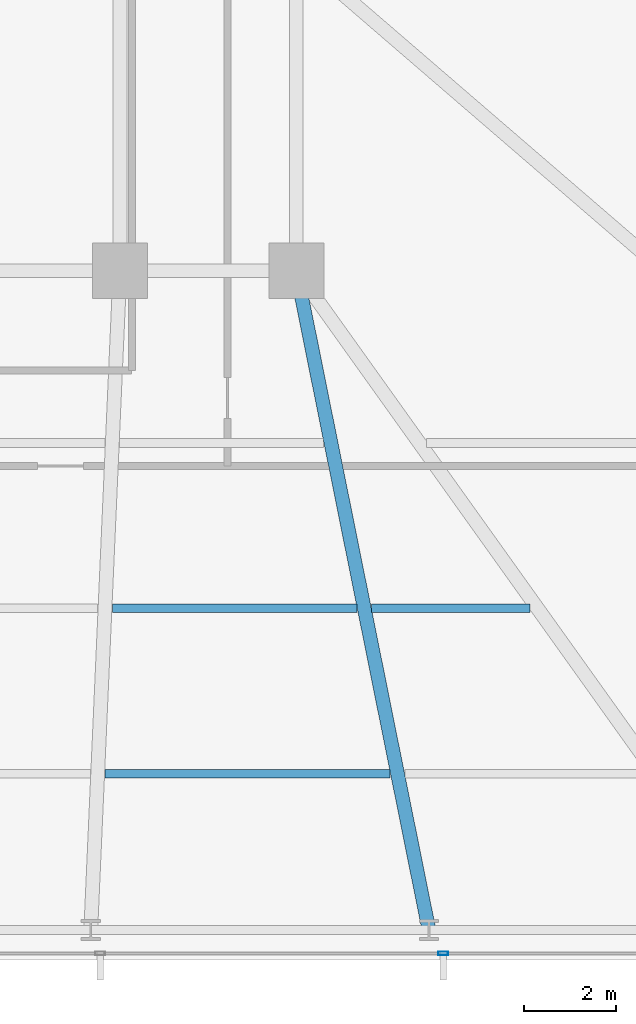
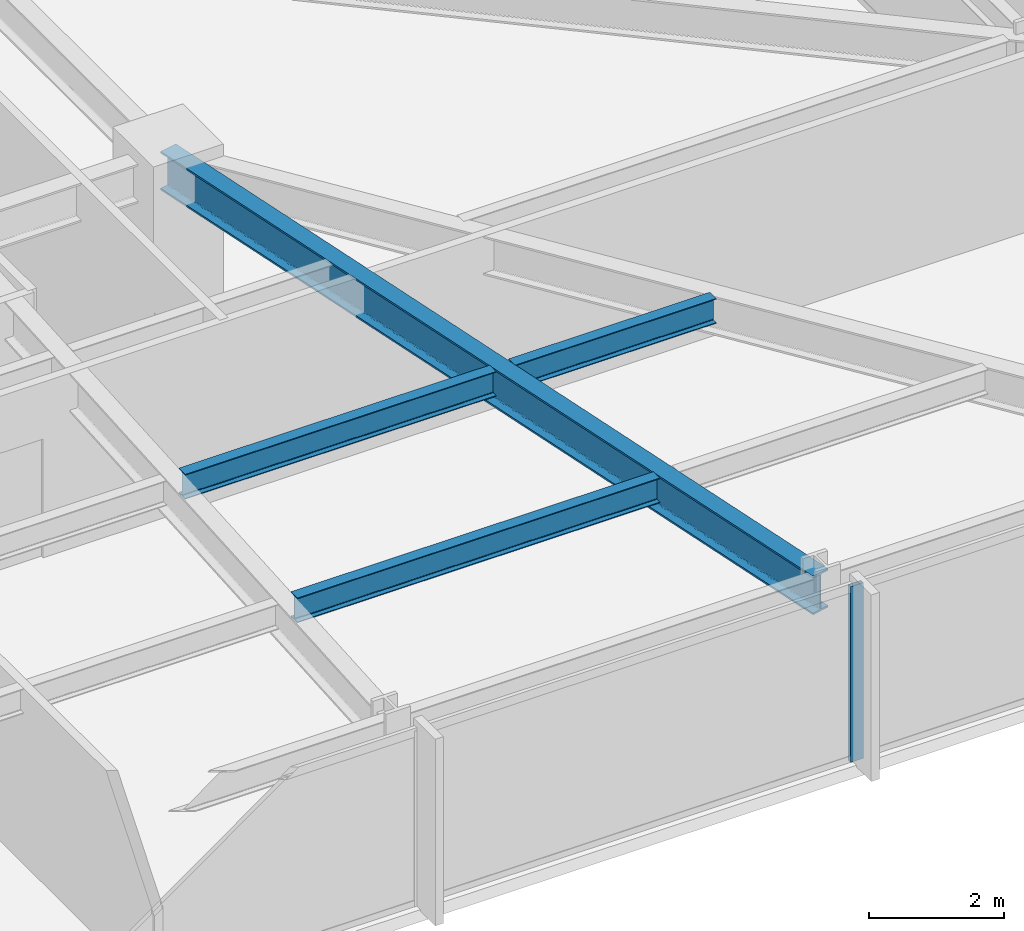
# One storey, part 14 of 32: 4 beams, 1 member, 1 element without a shape of its own.
"""IFC4 building model written with IfcOpenShell, lengths in metres."""

import ifcopenshell
import ifcopenshell.guid

model = None  # the IFC model being written
_history = None  # IfcOwnerHistory: only IFC2X3 demands one
_inside = {}  # id of a spatial element -> (the spatial element, [elements in it])
_under = {}  # id of a project, library or spatial element -> (it, [spatial elements below it])
_declared = {}  # id of a project -> (the project, [libraries it declares])
_typed = {}  # id of a type object -> (the type object, [elements of that type])
_made_of = {}  # id of a material, layer set ... -> (it, [elements and type objects made of it])


def new_model(schema):
    """Start an empty IFC model of exactly this schema.

    Asked for "IFC4X3", IfcOpenShell would pick the latest addendum, in which some entities
    have other attributes; the version numbers below select the first issue.
    IFC2X3 requires an IfcOwnerHistory on every rooted entity: one is made here for all.
    """
    global model, _history
    if schema == "IFC4X3":
        model = ifcopenshell.file(schema_version=(4, 3, 0, 0))
    else:
        model = ifcopenshell.file(schema=schema)
    _inside.clear()
    _under.clear()
    _declared.clear()
    _typed.clear()
    _made_of.clear()
    _history = None
    if model.schema == "IFC2X3":
        org = make("IfcOrganization", Name="unknown")
        user = make(
            "IfcPersonAndOrganization",
            ThePerson=make("IfcPerson", FamilyName="unknown"),
            TheOrganization=org,
        )
        app = make(
            "IfcApplication",
            ApplicationDeveloper=org,
            Version="unknown",
            ApplicationFullName="unknown",
            ApplicationIdentifier="unknown",
        )
        _history = make(
            "IfcOwnerHistory",
            OwningUser=user,
            OwningApplication=app,
            ChangeAction="ADDED",
            CreationDate=0,
        )
    return model


def make(cls, **values):
    """One entity of the class cls with the attributes given. An attribute that is None is left unset."""
    return model.create_entity(
        cls, **{name: value for name, value in values.items() if value is not None}
    )


def rooted(cls, **values):
    """An entity with a GlobalId (a new one), such as an element, a storey or a relation."""
    return make(cls, GlobalId=ifcopenshell.guid.new(), OwnerHistory=_history, **values)


def si_unit(unit_type, name, prefix=None):
    """IfcSIUnit, for example si_unit("LENGTHUNIT", "METRE", prefix="MILLI")."""
    return make("IfcSIUnit", UnitType=unit_type, Prefix=prefix, Name=name)


def assignment(units):
    """IfcUnitAssignment: the units of a project."""
    return None if units is None else make("IfcUnitAssignment", Units=units)


def point(xyz):
    """IfcCartesianPoint."""
    return None if xyz is None else make("IfcCartesianPoint", Coordinates=xyz)


def direction(xyz):
    """IfcDirection."""
    return None if xyz is None else make("IfcDirection", DirectionRatios=xyz)


def frame(location, z_axis=None, x_axis=None):
    """IfcAxis2Placement3D, a coordinate frame: its origin and axes. An axis left out is left unset."""
    return make(
        "IfcAxis2Placement3D",
        Location=point(location),
        Axis=direction(z_axis),
        RefDirection=direction(x_axis),
    )


def frame_2d(location, x_axis=None):
    """IfcAxis2Placement2D, a coordinate frame in the plane: its origin and x axis."""
    return make(
        "IfcAxis2Placement2D", Location=point(location), RefDirection=direction(x_axis)
    )


def origin():
    """The frame at (0, 0, 0) with its axes left unset."""
    return frame((0.0, 0.0, 0.0))


def origin_2d():
    """The frame at (0, 0) in the plane with its x axis left unset."""
    return frame_2d((0.0, 0.0))


def place(relative_to, where):
    """IfcLocalPlacement: puts the frame where relative to a parent placement (None: the world)."""
    return make(
        "IfcLocalPlacement", PlacementRelTo=relative_to, RelativePlacement=where
    )


def context(
    kind, dimensions, precision=None, world=None, true_north=None, identifier=None
):
    """IfcGeometricRepresentationContext, for example the 3D "Model" context."""
    return make(
        "IfcGeometricRepresentationContext",
        ContextIdentifier=identifier,
        ContextType=kind,
        CoordinateSpaceDimension=dimensions,
        Precision=precision,
        WorldCoordinateSystem=world,
        TrueNorth=true_north,
    )


def subcontext(parent, identifier, kind, view, scale=None):
    """IfcGeometricRepresentationSubContext, for example "Body" below "Model"."""
    return make(
        "IfcGeometricRepresentationSubContext",
        ContextIdentifier=identifier,
        ContextType=kind,
        ParentContext=parent,
        TargetScale=scale,
        TargetView=view,
    )


def project(units=None, contexts=None):
    """IfcProject with its units and contexts."""
    return rooted(
        "IfcProject",
        Name="project",
        RepresentationContexts=contexts,
        UnitsInContext=assignment(units),
    )


def spatial(cls, under=None, at=None, **own):
    """A site, building, storey or space (cls), placed at a placement, below another one or the project."""
    s = rooted(cls, ObjectPlacement=at, **own)
    if under is not None:
        _under.setdefault(under.id(), (under, []))[1].append(s)
    return s


def profile(cls, at=None, kind="AREA", **sizes):
    """A parametric profile (cls). Its sizes go by their IFC names, for example OverallWidth=200.0."""
    return make(cls, ProfileType=kind, Position=at, **sizes)


def hollow_rectangle(**sizes):
    """IfcRectangleHollowProfileDef."""
    return profile("IfcRectangleHollowProfileDef", **sizes)


def i_section(**sizes):
    """IfcIShapeProfileDef."""
    return profile("IfcIShapeProfileDef", **sizes)


def extrude(swept, where, along, depth):
    """IfcExtrudedAreaSolid: the profile swept, set in the frame where, extruded along a direction by depth."""
    return make(
        "IfcExtrudedAreaSolid",
        SweptArea=swept,
        Position=where,
        ExtrudedDirection=direction(along),
        Depth=depth,
    )


def shape(context_of_items, identifier, shape_type, items):
    """IfcShapeRepresentation: the items that make up one representation, for example the "Body"."""
    return make(
        "IfcShapeRepresentation",
        ContextOfItems=context_of_items,
        RepresentationIdentifier=identifier,
        RepresentationType=shape_type,
        Items=items,
    )


def material(Name=None, Category=None):
    """IfcMaterial."""
    return make("IfcMaterial", Name=Name, Category=Category)


def material_profile(
    of_material, cross_section, Name=None, Category=None, Priority=None
):
    """IfcMaterialProfile: a cross section and its material."""
    return make(
        "IfcMaterialProfile",
        Name=Name,
        Material=of_material,
        Profile=cross_section,
        Priority=Priority,
        Category=Category,
    )


def profile_set(profiles, Name=None, composite=None):
    """IfcMaterialProfileSet."""
    return make(
        "IfcMaterialProfileSet",
        Name=Name,
        MaterialProfiles=profiles,
        CompositeProfile=composite,
    )


def made_of(thing, what):
    """Note that an element or type object is made of a material, layer set ...; save() writes the relation."""
    if what is not None:
        _made_of.setdefault(what.id(), (what, []))[1].append(thing)
    return thing


def type_object(cls, material=None, **own):
    """A type object (cls), such as IfcWallType, which elements share."""
    return made_of(rooted(cls, **own), material)


def element(
    cls,
    number,
    at=None,
    inside=None,
    cuts=None,
    type_object=None,
    material=None,
    context=None,
    identifier="Body",
    shape_type=None,
    held_by="IfcProductDefinitionShape",
    body=None,
    shapes=None,
    **own,
):
    """One element of the class cls, such as IfcWall. Its Tag is "e" and its number.

    at: its placement. inside: the storey or other place that contains it. cuts: it is an
    opening in that element (IfcRelVoidsElement). A single representation is given by context,
    identifier, shape_type and body (its items); several are given by shapes. held_by: the class
    of the entity that holds the representations. save() writes the other relations.
    """
    e = rooted(cls, Tag="e%d" % number, ObjectPlacement=at, **own)
    if body is not None:
        shapes = [shape(context, identifier, shape_type, body)]
    if shapes is not None:
        e.Representation = make(held_by, Representations=shapes)
    if inside is not None:
        _inside.setdefault(inside.id(), (inside, []))[1].append(e)
    if cuts is not None:
        rooted(
            "IfcRelVoidsElement", RelatingBuildingElement=cuts, RelatedOpeningElement=e
        )
    if type_object is not None:
        _typed.setdefault(type_object.id(), (type_object, []))[1].append(e)
    return made_of(e, material)


def aggregate(whole, parts):
    """IfcRelAggregates: a whole, such as a stair, and the parts it consists of."""
    return rooted("IfcRelAggregates", RelatingObject=whole, RelatedObjects=parts)


def save(model, path):
    """Write the relations noted so far, then the file.

    IfcRelAggregates (storeys below a building ...), IfcRelContainedInSpatialStructure (elements
    in a storey), IfcRelDefinesByType, IfcRelAssociatesMaterial and IfcRelDeclares: one each for
    every whole, place, type object, material and project.
    """
    for whole, parts in _under.values():
        aggregate(whole, parts)
    for where, things in _inside.values():
        rooted(
            "IfcRelContainedInSpatialStructure",
            RelatedElements=things,
            RelatingStructure=where,
        )
    for kind, things in _typed.values():
        rooted("IfcRelDefinesByType", RelatedObjects=things, RelatingType=kind)
    for what, things in _made_of.values():
        rooted("IfcRelAssociatesMaterial", RelatedObjects=things, RelatingMaterial=what)
    for by, libraries in _declared.values():
        rooted("IfcRelDeclares", RelatingContext=by, RelatedDefinitions=libraries)
    model.write(path)


model = new_model("IFC4")

# Units and contexts
model_context = context("Model", 3, precision=1e-05, world=origin(), true_north=direction((0.0, 1.0)))
body_context = subcontext(model_context, "Body", "Model", "MODEL_VIEW")
ifc_project = project(units=[si_unit("LENGTHUNIT", "METRE"), si_unit("AREAUNIT", "SQUARE_METRE"), si_unit("VOLUMEUNIT", "CUBIC_METRE"), si_unit("PLANEANGLEUNIT", "RADIAN"), si_unit("MASSUNIT", "GRAM", prefix="KILO")], contexts=[model_context])

# Site, building, storey
site_placement = place(None, origin())
site = spatial("IfcSite", under=ifc_project, at=site_placement, CompositionType="ELEMENT")
building_placement = place(site_placement, origin())
building = spatial("IfcBuilding", under=site, at=building_placement, Name="Yelkora Congress Tower", CompositionType="ELEMENT")
storey_placement = place(building_placement, frame((0.0, 0.0, 40.60009765625)))
storey = spatial("IfcBuildingStorey", under=building, at=storey_placement, Name="L09", CompositionType="ELEMENT", Elevation=40.60009765625)

# Beams
ifc_material_1 = material(Name="Steel S355J2", Category="steel")
ifc_material_profile_1 = material_profile(ifc_material_1, i_section(OverallWidth=0.300048828125, OverallDepth=0.699951171875, WebThickness=0.01708984375, FlangeThickness=0.031982421875, FilletRadius=0.027099609375, at=origin_2d()), Name="HEB 700")
ifc_profile_set_1 = profile_set([ifc_material_profile_1], Name="Steel S355J2")
beam_type_1 = type_object("IfcBeamType", Name="BM-GIRD-HEB700", PredefinedType="BEAM", material=ifc_profile_set_1)
beam_1_placement = place(storey_placement, frame((60.487548828125, 10.85009765625, 2.829833984375), z_axis=(-0.197264295931, 0.980350344291, 0.0), x_axis=(-0.980350344291, -0.197264295931, 0.0)))
element("IfcBeam", 1, at=beam_1_placement, inside=storey, type_object=beam_type_1, Name="L09 Primary Frame Girder S08", PredefinedType="BEAM", context=body_context, shape_type="SweptSolid", body=[
    extrude(i_section(OverallWidth=0.300048828125, OverallDepth=0.699951171875, WebThickness=0.01708984375, FlangeThickness=0.031982421875, FilletRadius=0.027099609375, at=origin_2d()), origin(), (0.0, 0.0, 1.0), 14.637451171875),
])
ifc_material_profile_2 = material_profile(ifc_material_1, i_section(OverallWidth=0.18994140625, OverallDepth=0.449951171875, WebThickness=0.009521484375, FlangeThickness=0.0146484375, FilletRadius=0.02099609375, at=origin_2d()), Name="IPE 450")
ifc_profile_set_2 = profile_set([ifc_material_profile_2], Name="Steel S355J2")
beam_type_2 = type_object("IfcBeamType", Name="BM-JOIST-IPE450", PredefinedType="JOIST", material=ifc_profile_set_2)
beam_2_placement = place(storey_placement, frame((53.435546875, 14.25, 2.954833984375), z_axis=(1.0, 0.0, 0.0), x_axis=(0.0, 1.0, 0.0)))
element("IfcBeam", 2, at=beam_2_placement, inside=storey, type_object=beam_type_2, Name="L09 Composite Floor Joist 7", PredefinedType="JOIST", context=body_context, shape_type="SweptSolid", body=[
    extrude(i_section(OverallWidth=0.18994140625, OverallDepth=0.449951171875, WebThickness=0.009521484375, FlangeThickness=0.0146484375, FilletRadius=0.02099609375, at=origin_2d()), origin(), (0.0, 0.0, 1.0), 6.207763671875),
])
beam_3_placement = place(storey_placement, frame((53.5947265625, 17.85009765625, 2.954833984375), z_axis=(1.0, 0.0, 0.0), x_axis=(0.0, 1.0, 0.0)))
element("IfcBeam", 3, at=beam_3_placement, inside=storey, type_object=beam_type_2, Name="L09 Composite Floor Joist 15", PredefinedType="JOIST", context=body_context, shape_type="SweptSolid", body=[
    extrude(i_section(OverallWidth=0.18994140625, OverallDepth=0.449951171875, WebThickness=0.009521484375, FlangeThickness=0.0146484375, FilletRadius=0.02099609375, at=origin_2d()), origin(), (0.0, 0.0, 1.0), 5.32421875),
])
beam_4_placement = place(storey_placement, frame((59.239013671875, 17.85009765625, 2.954833984375), z_axis=(1.0, 0.0, 0.0), x_axis=(0.0, 1.0, 0.0)))
element("IfcBeam", 4, at=beam_4_placement, inside=storey, type_object=beam_type_2, Name="L09 Composite Floor Joist 16", PredefinedType="JOIST", context=body_context, shape_type="SweptSolid", body=[
    extrude(i_section(OverallWidth=0.18994140625, OverallDepth=0.449951171875, WebThickness=0.009521484375, FlangeThickness=0.0146484375, FilletRadius=0.02099609375, at=origin_2d()), origin(), (0.0, 0.0, 1.0), 3.450927734375),
])

# Curtain wall, member
ifc_material_2 = material(Name="Anodised aluminium and insulated glass", Category="aluminium")
curtain_wall_type = type_object("IfcCurtainWallType", Name="CW-SYS-B1", PredefinedType="NOTDEFINED", material=ifc_material_2)
curtain_wall_placement = place(storey_placement, origin())
curtain_wall = element("IfcCurtainWall", 5, at=curtain_wall_placement, inside=storey, type_object=curtain_wall_type, Name="L09 Unitised Curtain Wall 20", PredefinedType="NOTDEFINED")
ifc_material_3 = material(Name="Anodised aluminium 6063-T6", Category="aluminium")
ifc_material_profile_3 = material_profile(ifc_material_3, hollow_rectangle(XDim=0.074951171875, YDim=0.219970703125, WallThickness=0.0048828125, at=origin_2d()), Name="ALU 75x220x5")
ifc_profile_set_3 = profile_set([ifc_material_profile_3], Name="Anodised aluminium 6063-T6")
member_type = type_object("IfcMemberType", Name="MEM-ML-B1", PredefinedType="MULLION", material=ifc_profile_set_3)
member_placement = place(storey_placement, frame((60.794921875, 10.340087890625, 0.0), z_axis=(0.0, 0.0, 1.0), x_axis=(0.0, -1.0, 0.0)))
member = element("IfcMember", 6, at=member_placement, type_object=member_type, Name="CW-B1 mullion 2", PredefinedType="MULLION", context=body_context, shape_type="SweptSolid", body=[
    extrude(hollow_rectangle(XDim=0.074951171875, YDim=0.219970703125, WallThickness=0.0048828125, at=origin_2d()), origin(), (0.0, 0.0, 1.0), 3.179931640625),
])
aggregate(curtain_wall, [member])

save(model, "model.ifc")
